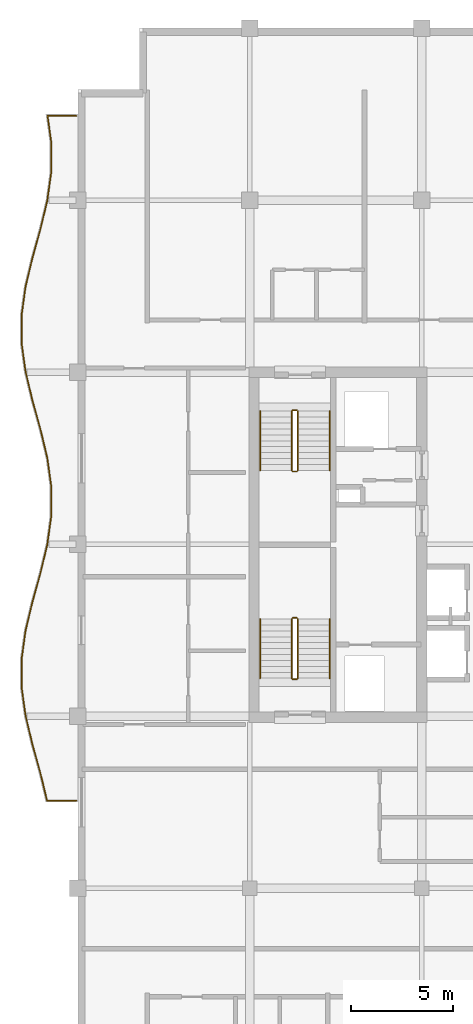
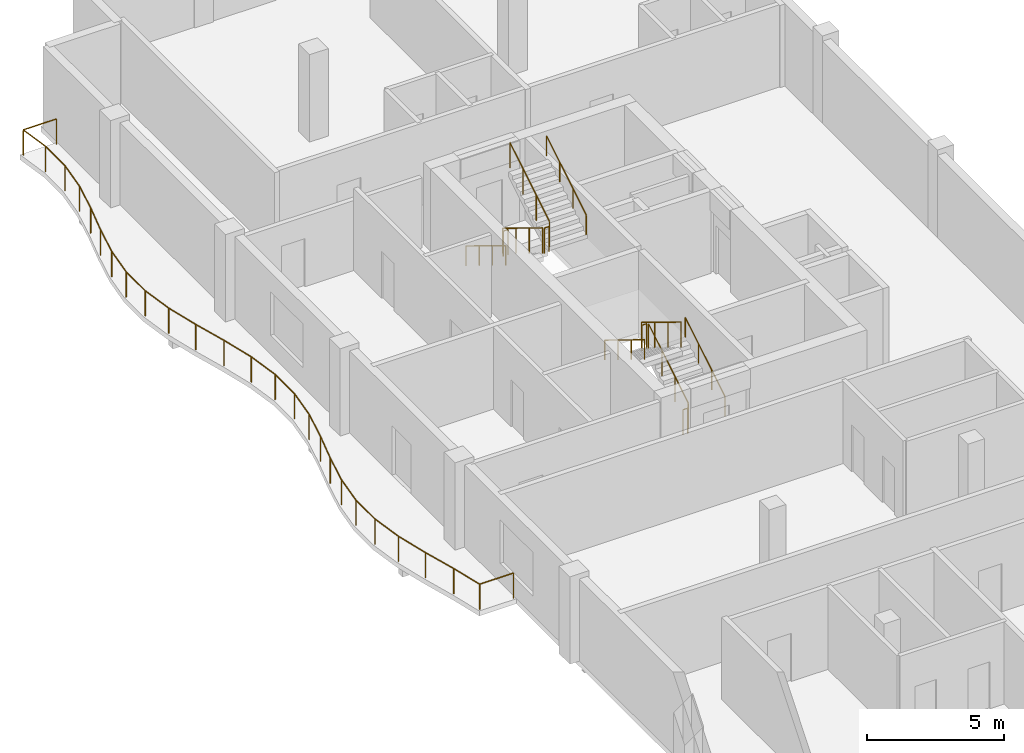
# One storey, part 10 of 10: 13 railings.
"""IFC4 building model written with IfcOpenShell, lengths in metres."""

from ifc_helpers import new_model, si_unit, direction, frame, origin, origin_2d, place, context, subcontext, project, spatial, circle, extrude, material, type_object, element, save


model = new_model("IFC4")

# Units and contexts
model_context = context("Model", 3, precision=1e-05, world=origin(), true_north=direction((0.0, 1.0)))
body_context = subcontext(model_context, "Body", "Model", "MODEL_VIEW")
ifc_project = project(units=[si_unit("LENGTHUNIT", "METRE"), si_unit("AREAUNIT", "SQUARE_METRE"), si_unit("VOLUMEUNIT", "CUBIC_METRE"), si_unit("PLANEANGLEUNIT", "RADIAN"), si_unit("MASSUNIT", "GRAM", prefix="KILO")], contexts=[model_context])

# Site, building, storey
site_placement = place(None, origin())
site = spatial("IfcSite", under=ifc_project, at=site_placement, CompositionType="ELEMENT")
building_placement = place(site_placement, origin())
building = spatial("IfcBuilding", under=site, at=building_placement, Name="Koriwani Terraces Tower", CompositionType="ELEMENT")
storey_placement = place(building_placement, frame((0.0, 0.0, 304.699951171875)))
storey = spatial("IfcBuildingStorey", under=building, at=storey_placement, Name="L75", CompositionType="ELEMENT", Elevation=304.699951171875)

# Railings
ifc_material = material(Name="Steel ASTM A572 Grade 50", Category="steel")
railing_type_1 = type_object("IfcRailingType", Name="GUARD_BALUSTRADE_1150", PredefinedType="BALUSTRADE", material=ifc_material)
railing_1_placement = place(storey_placement, frame((8.320068359375, 37.8798828125, 0.0)))
element("IfcRailing", 1, at=railing_1_placement, inside=storey, type_object=railing_type_1, Name="L75 Balcony Perimeter Safety Balustrade (W)", PredefinedType="BALUSTRADE", context=body_context, shape_type="SweptSolid", body=[
    extrude(circle(Radius=0.02392578125, at=origin_2d()), frame((0.0, 0.0, 1.1259765625), z_axis=(-1.0, 0.0, 0.0), x_axis=(0.0, -1.0, 0.0)), (0.0, 0.0, 1.0), 1.4267578125),
    extrude(circle(Radius=0.02392578125, at=origin_2d()), frame((-1.4267578125, 0.0, 1.1259765625), z_axis=(-0.233480150638, 0.972361568172, 0.0), x_axis=(-0.972361568172, -0.233480150638, 0.0)), (0.0, 0.0, 1.0), 1.378173828125),
    extrude(circle(Radius=0.02392578125, at=origin_2d()), frame((-1.74853515625, 1.340087890625, 1.1259765625), z_axis=(-0.26716718525, 0.963650193341, 0.0), x_axis=(-0.963650193341, -0.26716718525, 0.0)), (0.0, 0.0, 1.0), 1.452880859375),
    extrude(circle(Radius=0.02392578125, at=origin_2d()), frame((-2.13671875, 2.740234375, 1.1259765625), z_axis=(-0.233514568862, 0.972353303141, 0.0), x_axis=(-0.972353303141, -0.233514568862, 0.0)), (0.0, 0.0, 1.0), 1.434326171875),
    extrude(circle(Radius=0.02392578125, at=origin_2d()), frame((-2.4716796875, 4.135009765625, 1.1259765625), z_axis=(-0.137378806302, 0.990518583157, 0.0), x_axis=(-0.990518583157, -0.137378806302, 0.0)), (0.0, 0.0, 1.0), 1.404052734375),
    extrude(circle(Radius=0.02392578125, at=origin_2d()), frame((-2.66455078125, 5.525634765625, 1.1259765625), z_axis=(0.0, 1.0, 0.0), x_axis=(-1.0, 0.0, 0.0)), (0.0, 0.0, 1.0), 1.388916015625),
    extrude(circle(Radius=0.02392578125, at=origin_2d()), frame((-2.66455078125, 6.91455078125, 1.1259765625), z_axis=(0.137378806302, 0.990518583157, 0.0), x_axis=(-0.990518583157, 0.137378806302, 0.0)), (0.0, 0.0, 1.0), 1.404052734375),
    extrude(circle(Radius=0.02392578125, at=origin_2d()), frame((-2.4716796875, 8.30517578125, 1.1259765625), z_axis=(0.23347592966, 0.972362581689, 0.0), x_axis=(-0.972362581689, 0.23347592966, 0.0)), (0.0, 0.0, 1.0), 1.4345703125),
    extrude(circle(Radius=0.02392578125, at=origin_2d()), frame((-2.13671875, 9.7001953125, 1.1259765625), z_axis=(0.267210452187, 0.963638196753, 0.0), x_axis=(-0.963638196753, 0.267210452187, 0.0)), (0.0, 0.0, 1.0), 1.45263671875),
    extrude(circle(Radius=0.02392578125, at=origin_2d()), frame((-1.74853515625, 11.10009765625, 1.1259765625), z_axis=(0.233302667738, 0.972404167631, 0.0), x_axis=(-0.972404167631, 0.233302667738, 0.0)), (0.0, 0.0, 1.0), 1.445068359375),
    extrude(circle(Radius=0.02392578125, at=origin_2d()), frame((-1.411376953125, 12.50537109375, 1.1259765625), z_axis=(0.137287762455, 0.990531206111, 0.0), x_axis=(-0.990531206111, 0.137287762455, 0.0)), (0.0, 0.0, 1.0), 1.422607421875),
    extrude(circle(Radius=0.02392578125, at=origin_2d()), frame((-1.216064453125, 13.91455078125, 1.1259765625), z_axis=(0.0, 1.0, 0.0), x_axis=(-1.0, 0.0, 0.0)), (0.0, 0.0, 1.0), 1.4111328125),
    extrude(circle(Radius=0.02392578125, at=origin_2d()), frame((-1.216064453125, 15.32568359375, 1.1259765625), z_axis=(-0.137287762455, 0.990531206111, 0.0), x_axis=(-0.990531206111, -0.137287762455, 0.0)), (0.0, 0.0, 1.0), 1.422607421875),
    extrude(circle(Radius=0.02392578125, at=origin_2d()), frame((-1.411376953125, 16.73486328125, 1.1259765625), z_axis=(-0.233302667738, 0.972404167631, 0.0), x_axis=(-0.972404167631, -0.233302667738, 0.0)), (0.0, 0.0, 1.0), 1.445068359375),
    extrude(circle(Radius=0.02392578125, at=origin_2d()), frame((-1.74853515625, 18.14013671875, 1.1259765625), z_axis=(-0.267210452187, 0.963638196753, 0.0), x_axis=(-0.963638196753, -0.267210452187, 0.0)), (0.0, 0.0, 1.0), 1.45263671875),
    extrude(circle(Radius=0.02392578125, at=origin_2d()), frame((-2.13671875, 19.5400390625, 1.1259765625), z_axis=(-0.23347592966, 0.972362581689, 0.0), x_axis=(-0.972362581689, -0.23347592966, 0.0)), (0.0, 0.0, 1.0), 1.4345703125),
    extrude(circle(Radius=0.02392578125, at=origin_2d()), frame((-2.4716796875, 20.93505859375, 1.1259765625), z_axis=(-0.137378806302, 0.990518583157, 0.0), x_axis=(-0.990518583157, -0.137378806302, 0.0)), (0.0, 0.0, 1.0), 1.404052734375),
    extrude(circle(Radius=0.02392578125, at=origin_2d()), frame((-2.66455078125, 22.32568359375, 1.1259765625), z_axis=(0.0, 1.0, 0.0), x_axis=(-1.0, 0.0, 0.0)), (0.0, 0.0, 1.0), 1.388916015625),
    extrude(circle(Radius=0.02392578125, at=origin_2d()), frame((-2.66455078125, 23.714599609375, 1.1259765625), z_axis=(0.137378806302, 0.990518583157, 0.0), x_axis=(-0.990518583157, 0.137378806302, 0.0)), (0.0, 0.0, 1.0), 1.404052734375),
    extrude(circle(Radius=0.02392578125, at=origin_2d()), frame((-2.4716796875, 25.105224609375, 1.1259765625), z_axis=(0.233514568862, 0.972353303141, 0.0), x_axis=(-0.972353303141, 0.233514568862, 0.0)), (0.0, 0.0, 1.0), 1.434326171875),
    extrude(circle(Radius=0.02392578125, at=origin_2d()), frame((-2.13671875, 26.5, 1.1259765625), z_axis=(0.26716718525, 0.963650193341, 0.0), x_axis=(-0.963650193341, 0.26716718525, 0.0)), (0.0, 0.0, 1.0), 1.452880859375),
    extrude(circle(Radius=0.02392578125, at=origin_2d()), frame((-1.74853515625, 27.900146484375, 1.1259765625), z_axis=(0.233302667738, 0.972404167631, 0.0), x_axis=(-0.972404167631, 0.233302667738, 0.0)), (0.0, 0.0, 1.0), 1.445068359375),
    extrude(circle(Radius=0.02392578125, at=origin_2d()), frame((-1.411376953125, 29.305419921875, 1.1259765625), z_axis=(0.137287762455, 0.990531206111, 0.0), x_axis=(-0.990531206111, 0.137287762455, 0.0)), (0.0, 0.0, 1.0), 1.422607421875),
    extrude(circle(Radius=0.02392578125, at=origin_2d()), frame((-1.216064453125, 30.714599609375, 1.1259765625), z_axis=(0.0, 1.0, 0.0), x_axis=(-1.0, 0.0, 0.0)), (0.0, 0.0, 1.0), 1.4111328125),
    extrude(circle(Radius=0.02392578125, at=origin_2d()), frame((-1.216064453125, 32.125732421875, 1.1259765625), z_axis=(-0.137066963034, 0.99056178386, 0.0), x_axis=(-0.99056178386, -0.137066963034, 0.0)), (0.0, 0.0, 1.0), 1.326904296875),
    extrude(circle(Radius=0.02392578125, at=origin_2d()), frame((-1.39794921875, 33.440185546875, 1.1259765625), z_axis=(1.0, 0.0, 0.0), x_axis=(0.0, 1.0, 0.0)), (0.0, 0.0, 1.0), 1.39794921875),
    extrude(circle(Radius=0.02099609375, at=origin_2d()), origin(), (0.0, 0.0, 1.0), 1.101806640625),
    extrude(circle(Radius=0.02099609375, at=origin_2d()), frame((-1.4267578125, 0.0, 0.0)), (0.0, 0.0, 1.0), 1.101806640625),
    extrude(circle(Radius=0.02099609375, at=origin_2d()), frame((-1.74853515625, 1.340087890625, 0.0)), (0.0, 0.0, 1.0), 1.101806640625),
    extrude(circle(Radius=0.02099609375, at=origin_2d()), frame((-2.13671875, 2.740234375, 0.0)), (0.0, 0.0, 1.0), 1.101806640625),
    extrude(circle(Radius=0.02099609375, at=origin_2d()), frame((-2.4716796875, 4.135009765625, 0.0)), (0.0, 0.0, 1.0), 1.101806640625),
    extrude(circle(Radius=0.02099609375, at=origin_2d()), frame((-2.66455078125, 5.525634765625, 0.0)), (0.0, 0.0, 1.0), 1.101806640625),
    extrude(circle(Radius=0.02099609375, at=origin_2d()), frame((-2.66455078125, 6.91455078125, 0.0)), (0.0, 0.0, 1.0), 1.101806640625),
    extrude(circle(Radius=0.02099609375, at=origin_2d()), frame((-2.4716796875, 8.30517578125, 0.0)), (0.0, 0.0, 1.0), 1.101806640625),
    extrude(circle(Radius=0.02099609375, at=origin_2d()), frame((-2.13671875, 9.7001953125, 0.0)), (0.0, 0.0, 1.0), 1.101806640625),
    extrude(circle(Radius=0.02099609375, at=origin_2d()), frame((-1.74853515625, 11.10009765625, 0.0)), (0.0, 0.0, 1.0), 1.101806640625),
    extrude(circle(Radius=0.02099609375, at=origin_2d()), frame((-1.411376953125, 12.50537109375, 0.0)), (0.0, 0.0, 1.0), 1.101806640625),
    extrude(circle(Radius=0.02099609375, at=origin_2d()), frame((-1.216064453125, 13.91455078125, 0.0)), (0.0, 0.0, 1.0), 1.101806640625),
    extrude(circle(Radius=0.02099609375, at=origin_2d()), frame((-1.216064453125, 15.32568359375, 0.0)), (0.0, 0.0, 1.0), 1.101806640625),
    extrude(circle(Radius=0.02099609375, at=origin_2d()), frame((-1.411376953125, 16.73486328125, 0.0)), (0.0, 0.0, 1.0), 1.101806640625),
    extrude(circle(Radius=0.02099609375, at=origin_2d()), frame((-1.74853515625, 18.14013671875, 0.0)), (0.0, 0.0, 1.0), 1.101806640625),
    extrude(circle(Radius=0.02099609375, at=origin_2d()), frame((-2.13671875, 19.5400390625, 0.0)), (0.0, 0.0, 1.0), 1.101806640625),
    extrude(circle(Radius=0.02099609375, at=origin_2d()), frame((-2.4716796875, 20.93505859375, 0.0)), (0.0, 0.0, 1.0), 1.101806640625),
    extrude(circle(Radius=0.02099609375, at=origin_2d()), frame((-2.66455078125, 22.32568359375, 0.0)), (0.0, 0.0, 1.0), 1.101806640625),
    extrude(circle(Radius=0.02099609375, at=origin_2d()), frame((-2.66455078125, 23.714599609375, 0.0)), (0.0, 0.0, 1.0), 1.101806640625),
    extrude(circle(Radius=0.02099609375, at=origin_2d()), frame((-2.4716796875, 25.105224609375, 0.0)), (0.0, 0.0, 1.0), 1.101806640625),
    extrude(circle(Radius=0.02099609375, at=origin_2d()), frame((-2.13671875, 26.5, 0.0)), (0.0, 0.0, 1.0), 1.101806640625),
    extrude(circle(Radius=0.02099609375, at=origin_2d()), frame((-1.74853515625, 27.900146484375, 0.0)), (0.0, 0.0, 1.0), 1.101806640625),
    extrude(circle(Radius=0.02099609375, at=origin_2d()), frame((-1.411376953125, 29.305419921875, 0.0)), (0.0, 0.0, 1.0), 1.101806640625),
    extrude(circle(Radius=0.02099609375, at=origin_2d()), frame((-1.216064453125, 30.714599609375, 0.0)), (0.0, 0.0, 1.0), 1.101806640625),
    extrude(circle(Radius=0.02099609375, at=origin_2d()), frame((-1.216064453125, 32.125732421875, 0.0)), (0.0, 0.0, 1.0), 1.101806640625),
    extrude(circle(Radius=0.02099609375, at=origin_2d()), frame((-1.39794921875, 33.440185546875, 0.0)), (0.0, 0.0, 1.0), 1.101806640625),
    extrude(circle(Radius=0.02099609375, at=origin_2d()), frame((0.0, 33.440185546875, 0.0)), (0.0, 0.0, 1.0), 1.101806640625),
])
railing_type_2 = type_object("IfcRailingType", Name="GUARD_STAIR_WELL_1120", PredefinedType="GUARDRAIL", material=ifc_material)
railing_2_placement = place(storey_placement, frame((19.14990234375, 43.85009765625, 0.17724609375)))
element("IfcRailing", 2, at=railing_2_placement, inside=storey, type_object=railing_type_2, Name="L75 ST-W1 stair guard 1", PredefinedType="GUARDRAIL", context=body_context, shape_type="SweptSolid", body=[
    extrude(circle(Radius=0.02392578125, at=origin_2d()), frame((0.0, 0.0, 1.1259765625), z_axis=(0.0, 0.853210801645, 0.521566225858), x_axis=(-1.0, 0.0, 0.0)), (0.0, 0.0, 1.0), 3.39892578125),
    extrude(circle(Radius=0.02099609375, at=origin_2d()), origin(), (0.0, 0.0, 1.0), 1.101806640625),
    extrude(circle(Radius=0.02099609375, at=origin_2d()), frame((0.0, 0.966552734375, 0.5908203125)), (0.0, 0.0, 1.0), 1.101806640625),
    extrude(circle(Radius=0.02099609375, at=origin_2d()), frame((0.0, 1.933349609375, 1.181884765625)), (0.0, 0.0, 1.0), 1.101806640625),
    extrude(circle(Radius=0.02099609375, at=origin_2d()), frame((0.0, 2.89990234375, 1.772705078125)), (0.0, 0.0, 1.0), 1.101806640625),
])
railing_3_placement = place(storey_placement, frame((19.10009765625, 46.800048828125, 1.949951171875)))
element("IfcRailing", 3, at=railing_3_placement, inside=storey, type_object=railing_type_2, Name="L75 ST-W1 stair guard 2", PredefinedType="GUARDRAIL", context=body_context, shape_type="SweptSolid", body=[
    extrude(circle(Radius=0.02392578125, at=origin_2d()), frame((0.0, 0.0, 1.1259765625), z_axis=(-1.0, 0.0, 0.0), x_axis=(0.0, -1.0, 0.0)), (0.0, 0.0, 1.0), 0.2001953125),
    extrude(circle(Radius=0.02099609375, at=origin_2d()), origin(), (0.0, 0.0, 1.0), 1.101806640625),
    extrude(circle(Radius=0.02099609375, at=origin_2d()), frame((-0.2001953125, 0.0, 0.0)), (0.0, 0.0, 1.0), 1.101806640625),
])
railing_4_placement = place(storey_placement, frame((18.85009765625, 46.75, 2.12744140625)))
element("IfcRailing", 4, at=railing_4_placement, inside=storey, type_object=railing_type_2, Name="L75 ST-W1 stair guard 3", PredefinedType="GUARDRAIL", context=body_context, shape_type="SweptSolid", body=[
    extrude(circle(Radius=0.02392578125, at=origin_2d()), frame((0.0, 0.0, 1.1259765625), z_axis=(0.0, -0.853210801645, 0.521566225858), x_axis=(1.0, 0.0, 0.0)), (0.0, 0.0, 1.0), 3.39892578125),
    extrude(circle(Radius=0.02099609375, at=origin_2d()), origin(), (0.0, 0.0, 1.0), 1.101806640625),
    extrude(circle(Radius=0.02099609375, at=origin_2d()), frame((0.0, -0.966552734375, 0.5908203125)), (0.0, 0.0, 1.0), 1.101806640625),
    extrude(circle(Radius=0.02099609375, at=origin_2d()), frame((0.0, -1.933349609375, 1.181884765625)), (0.0, 0.0, 1.0), 1.101806640625),
    extrude(circle(Radius=0.02099609375, at=origin_2d()), frame((0.0, -2.89990234375, 1.772705078125)), (0.0, 0.0, 1.0), 1.101806640625),
])
railing_5_placement = place(storey_placement, frame((19.10009765625, 43.800048828125, 0.0)))
element("IfcRailing", 5, at=railing_5_placement, inside=storey, type_object=railing_type_2, Name="L75 ST-W1 stair guard 4", PredefinedType="GUARDRAIL", context=body_context, shape_type="SweptSolid", body=[
    extrude(circle(Radius=0.02392578125, at=origin_2d()), frame((0.0, 0.0, 1.1259765625), z_axis=(-1.0, 0.0, 0.0), x_axis=(0.0, -1.0, 0.0)), (0.0, 0.0, 1.0), 0.2001953125),
    extrude(circle(Radius=0.02099609375, at=origin_2d()), origin(), (0.0, 0.0, 1.0), 1.101806640625),
    extrude(circle(Radius=0.02099609375, at=origin_2d()), frame((-0.2001953125, 0.0, 0.0)), (0.0, 0.0, 1.0), 1.101806640625),
])
railing_6_placement = place(storey_placement, frame((18.85009765625, 56.89990234375, 0.17724609375)))
element("IfcRailing", 6, at=railing_6_placement, inside=storey, type_object=railing_type_2, Name="L75 ST-W2 stair guard 1", PredefinedType="GUARDRAIL", context=body_context, shape_type="SweptSolid", body=[
    extrude(circle(Radius=0.02392578125, at=origin_2d()), frame((0.0, 0.0, 1.1259765625), z_axis=(0.0, -0.853210801645, 0.521566225858), x_axis=(1.0, 0.0, 0.0)), (0.0, 0.0, 1.0), 3.39892578125),
    extrude(circle(Radius=0.02099609375, at=origin_2d()), origin(), (0.0, 0.0, 1.0), 1.101806640625),
    extrude(circle(Radius=0.02099609375, at=origin_2d()), frame((0.0, -0.966552734375, 0.5908203125)), (0.0, 0.0, 1.0), 1.101806640625),
    extrude(circle(Radius=0.02099609375, at=origin_2d()), frame((0.0, -1.933349609375, 1.181884765625)), (0.0, 0.0, 1.0), 1.101806640625),
    extrude(circle(Radius=0.02099609375, at=origin_2d()), frame((0.0, -2.89990234375, 1.772705078125)), (0.0, 0.0, 1.0), 1.101806640625),
])
railing_7_placement = place(storey_placement, frame((18.89990234375, 53.949951171875, 1.949951171875)))
element("IfcRailing", 7, at=railing_7_placement, inside=storey, type_object=railing_type_2, Name="L75 ST-W2 stair guard 2", PredefinedType="GUARDRAIL", context=body_context, shape_type="SweptSolid", body=[
    extrude(circle(Radius=0.02392578125, at=origin_2d()), frame((0.0, 0.0, 1.1259765625), z_axis=(1.0, 0.0, 0.0), x_axis=(0.0, 1.0, 0.0)), (0.0, 0.0, 1.0), 0.2001953125),
    extrude(circle(Radius=0.02099609375, at=origin_2d()), origin(), (0.0, 0.0, 1.0), 1.101806640625),
    extrude(circle(Radius=0.02099609375, at=origin_2d()), frame((0.2001953125, 0.0, 0.0)), (0.0, 0.0, 1.0), 1.101806640625),
])
railing_8_placement = place(storey_placement, frame((19.14990234375, 54.0, 2.12744140625)))
element("IfcRailing", 8, at=railing_8_placement, inside=storey, type_object=railing_type_2, Name="L75 ST-W2 stair guard 3", PredefinedType="GUARDRAIL", context=body_context, shape_type="SweptSolid", body=[
    extrude(circle(Radius=0.02392578125, at=origin_2d()), frame((0.0, 0.0, 1.1259765625), z_axis=(0.0, 0.853210801645, 0.521566225858), x_axis=(-1.0, 0.0, 0.0)), (0.0, 0.0, 1.0), 3.39892578125),
    extrude(circle(Radius=0.02099609375, at=origin_2d()), origin(), (0.0, 0.0, 1.0), 1.101806640625),
    extrude(circle(Radius=0.02099609375, at=origin_2d()), frame((0.0, 0.966552734375, 0.5908203125)), (0.0, 0.0, 1.0), 1.101806640625),
    extrude(circle(Radius=0.02099609375, at=origin_2d()), frame((0.0, 1.933349609375, 1.181884765625)), (0.0, 0.0, 1.0), 1.101806640625),
    extrude(circle(Radius=0.02099609375, at=origin_2d()), frame((0.0, 2.89990234375, 1.772705078125)), (0.0, 0.0, 1.0), 1.101806640625),
])
railing_9_placement = place(storey_placement, frame((18.89990234375, 56.949951171875, 0.0)))
element("IfcRailing", 9, at=railing_9_placement, inside=storey, type_object=railing_type_2, Name="L75 ST-W2 stair guard 4", PredefinedType="GUARDRAIL", context=body_context, shape_type="SweptSolid", body=[
    extrude(circle(Radius=0.02392578125, at=origin_2d()), frame((0.0, 0.0, 1.1259765625), z_axis=(1.0, 0.0, 0.0), x_axis=(0.0, 1.0, 0.0)), (0.0, 0.0, 1.0), 0.2001953125),
    extrude(circle(Radius=0.02099609375, at=origin_2d()), origin(), (0.0, 0.0, 1.0), 1.101806640625),
    extrude(circle(Radius=0.02099609375, at=origin_2d()), frame((0.2001953125, 0.0, 0.0)), (0.0, 0.0, 1.0), 1.101806640625),
])
railing_type_3 = type_object("IfcRailingType", Name="HANDRAIL_STAIR_920", PredefinedType="HANDRAIL", material=ifc_material)
railing_10_placement = place(storey_placement, frame((20.699951171875, 43.85009765625, 0.17724609375)))
element("IfcRailing", 10, at=railing_10_placement, inside=storey, type_object=railing_type_3, Name="L75 ST-W1 stair handrail 1", PredefinedType="HANDRAIL", context=body_context, shape_type="SweptSolid", body=[
    extrude(circle(Radius=0.02392578125, at=origin_2d()), frame((0.0, 0.0, 0.8759765625), z_axis=(0.0, 0.853210801645, 0.521566225858), x_axis=(-1.0, 0.0, 0.0)), (0.0, 0.0, 1.0), 3.39892578125),
    extrude(circle(Radius=0.02099609375, at=origin_2d()), origin(), (0.0, 0.0, 1.0), 0.851806640625),
    extrude(circle(Radius=0.02099609375, at=origin_2d()), frame((0.0, 0.966552734375, 0.5908203125)), (0.0, 0.0, 1.0), 0.851806640625),
    extrude(circle(Radius=0.02099609375, at=origin_2d()), frame((0.0, 1.933349609375, 1.181884765625)), (0.0, 0.0, 1.0), 0.851806640625),
    extrude(circle(Radius=0.02099609375, at=origin_2d()), frame((0.0, 2.89990234375, 1.772705078125)), (0.0, 0.0, 1.0), 0.851806640625),
])
for number, where, name in (
    (11, (17.300048828125, 46.75, 2.12744140625), "L75 ST-W1 stair handrail 2"),
    (12, (17.300048828125, 56.89990234375, 0.17724609375), "L75 ST-W2 stair handrail 1"),
):
    element("IfcRailing", number, at=place(storey_placement, frame(where)), inside=storey, type_object=railing_type_3, Name=name, PredefinedType="HANDRAIL", context=body_context, shape_type="SweptSolid", body=[
        extrude(circle(Radius=0.02392578125, at=origin_2d()), frame((0.0, 0.0, 0.8759765625), z_axis=(0.0, -0.853210801645, 0.521566225858), x_axis=(1.0, 0.0, 0.0)), (0.0, 0.0, 1.0), 3.39892578125),
        extrude(circle(Radius=0.02099609375, at=origin_2d()), origin(), (0.0, 0.0, 1.0), 0.851806640625),
        extrude(circle(Radius=0.02099609375, at=origin_2d()), frame((0.0, -0.966552734375, 0.5908203125)), (0.0, 0.0, 1.0), 0.851806640625),
        extrude(circle(Radius=0.02099609375, at=origin_2d()), frame((0.0, -1.933349609375, 1.181884765625)), (0.0, 0.0, 1.0), 0.851806640625),
        extrude(circle(Radius=0.02099609375, at=origin_2d()), frame((0.0, -2.89990234375, 1.772705078125)), (0.0, 0.0, 1.0), 0.851806640625),
    ])
railing_11_placement = place(storey_placement, frame((20.699951171875, 54.0, 2.12744140625)))
element("IfcRailing", 13, at=railing_11_placement, inside=storey, type_object=railing_type_3, Name="L75 ST-W2 stair handrail 2", PredefinedType="HANDRAIL", context=body_context, shape_type="SweptSolid", body=[
    extrude(circle(Radius=0.02392578125, at=origin_2d()), frame((0.0, 0.0, 0.8759765625), z_axis=(0.0, 0.853210801645, 0.521566225858), x_axis=(-1.0, 0.0, 0.0)), (0.0, 0.0, 1.0), 3.39892578125),
    extrude(circle(Radius=0.02099609375, at=origin_2d()), origin(), (0.0, 0.0, 1.0), 0.851806640625),
    extrude(circle(Radius=0.02099609375, at=origin_2d()), frame((0.0, 0.966552734375, 0.5908203125)), (0.0, 0.0, 1.0), 0.851806640625),
    extrude(circle(Radius=0.02099609375, at=origin_2d()), frame((0.0, 1.933349609375, 1.181884765625)), (0.0, 0.0, 1.0), 0.851806640625),
    extrude(circle(Radius=0.02099609375, at=origin_2d()), frame((0.0, 2.89990234375, 1.772705078125)), (0.0, 0.0, 1.0), 0.851806640625),
])

save(model, "model.ifc")
